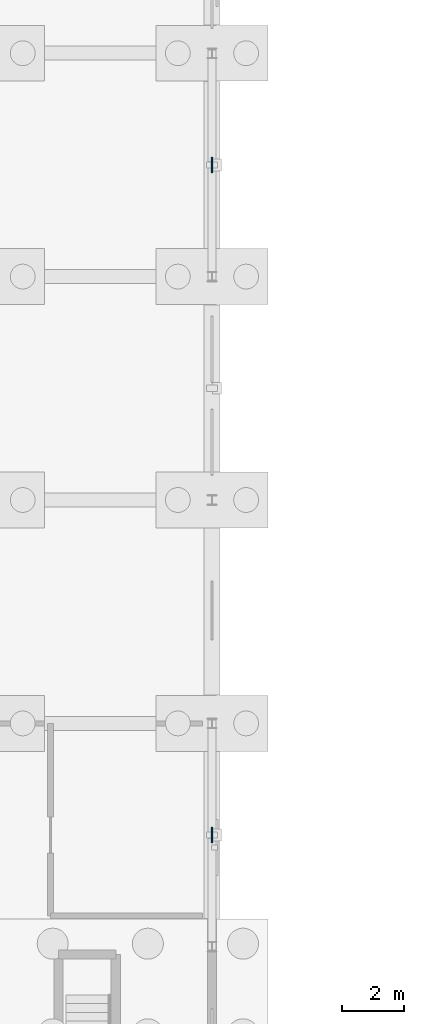
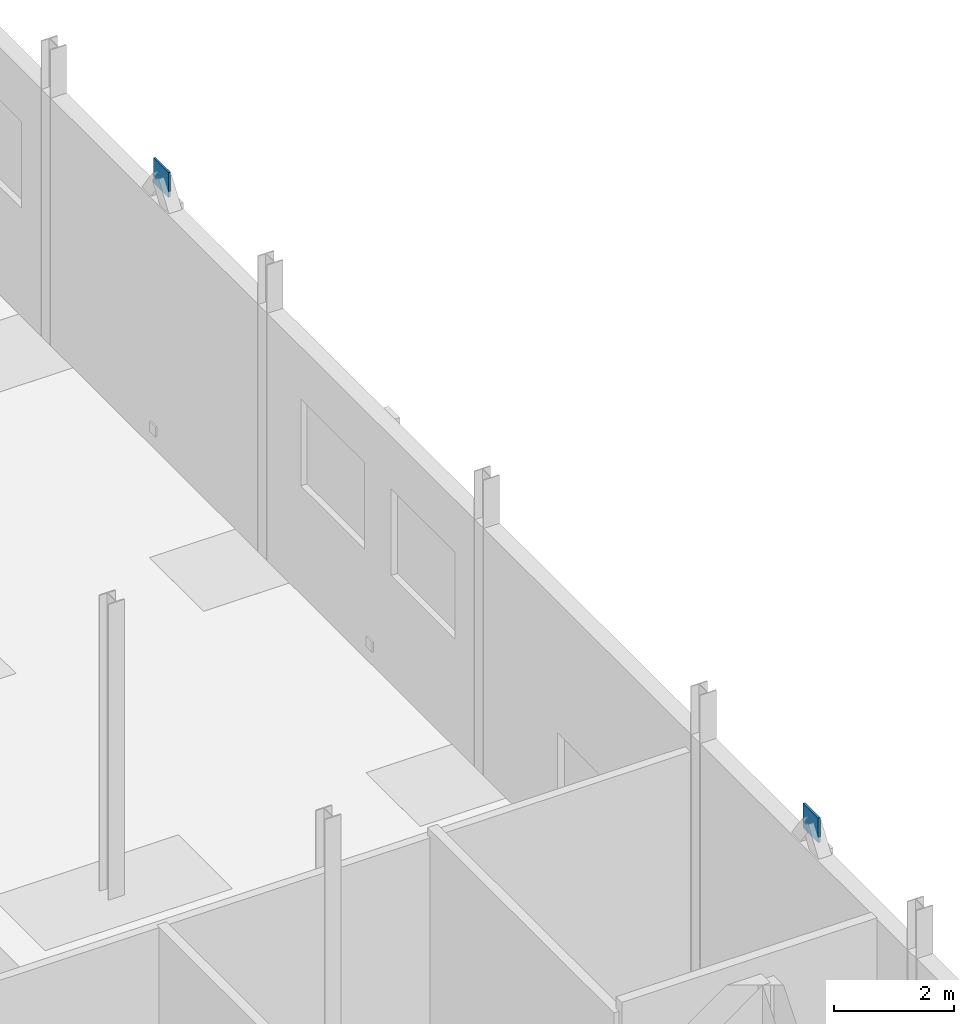
# One storey, part 28 of 45: 2 plates.
"""IFC4 building model written with IfcOpenShell, lengths in metres."""

from ifc_helpers import new_model, si_unit, direction, frame, origin, origin_2d, place, context, subcontext, project, spatial, rectangle, extrude, material, layer, layer_set, type_object, element, save


model = new_model("IFC4")

# Units and contexts
model_context = context("Model", 3, precision=1e-05, world=origin(), true_north=direction((0.0, 1.0)))
body_context = subcontext(model_context, "Body", "Model", "MODEL_VIEW")
ifc_project = project(units=[si_unit("LENGTHUNIT", "METRE"), si_unit("AREAUNIT", "SQUARE_METRE"), si_unit("VOLUMEUNIT", "CUBIC_METRE"), si_unit("PLANEANGLEUNIT", "RADIAN"), si_unit("MASSUNIT", "GRAM", prefix="KILO")], contexts=[model_context])

# Site, building, storey
site_placement = place(None, origin())
site = spatial("IfcSite", under=ifc_project, at=site_placement, CompositionType="ELEMENT")
building_placement = place(site_placement, origin())
building = spatial("IfcBuilding", under=site, at=building_placement, Name="Yarey Park Central Fire Station", CompositionType="ELEMENT")
storey_placement = place(building_placement, origin())
storey = spatial("IfcBuildingStorey", under=building, at=storey_placement, Name="L01", CompositionType="ELEMENT", Elevation=0.0)

# Plates
ifc_material = material(Name="Steel ASTM A572 Gr. 50", Category="steel")
ifc_layer = layer(ifc_material, 0.0419921875)
ifc_layer_set = layer_set([ifc_layer], Name="Steel ASTM A572 Gr. 50")
plate_type = type_object("IfcPlateType", Name="STR_PLT_NODE2", PredefinedType="USERDEFINED", material=ifc_layer_set)
for number, where, z_axis, x_axis, name in (
    (1, (165.60009765625, 61.199951171875, 5.199951171875), (0.0, 0.0, 1.0), (1.0, 0.0, 0.0), "NODE_PLT_V5_L01_57"),
    (2, (165.60009765625, 82.800048828125, 5.199951171875), (0.0, 0.0, 1.0), (1.0, 0.0, 0.0), "NODE_PLT_V5_L01_79"),
):
    element("IfcPlate", number, at=place(storey_placement, frame(where, z_axis=z_axis, x_axis=x_axis)), inside=storey, type_object=plate_type, Name=name, ObjectType="GUSSET_PLATE", PredefinedType="USERDEFINED", context=body_context, shape_type="SweptSolid", body=[
        extrude(rectangle(XDim=0.0419921875, YDim=0.5, at=origin_2d()), origin(), (0.0, 0.0, 1.0), 0.5),
    ])

save(model, "model.ifc")
